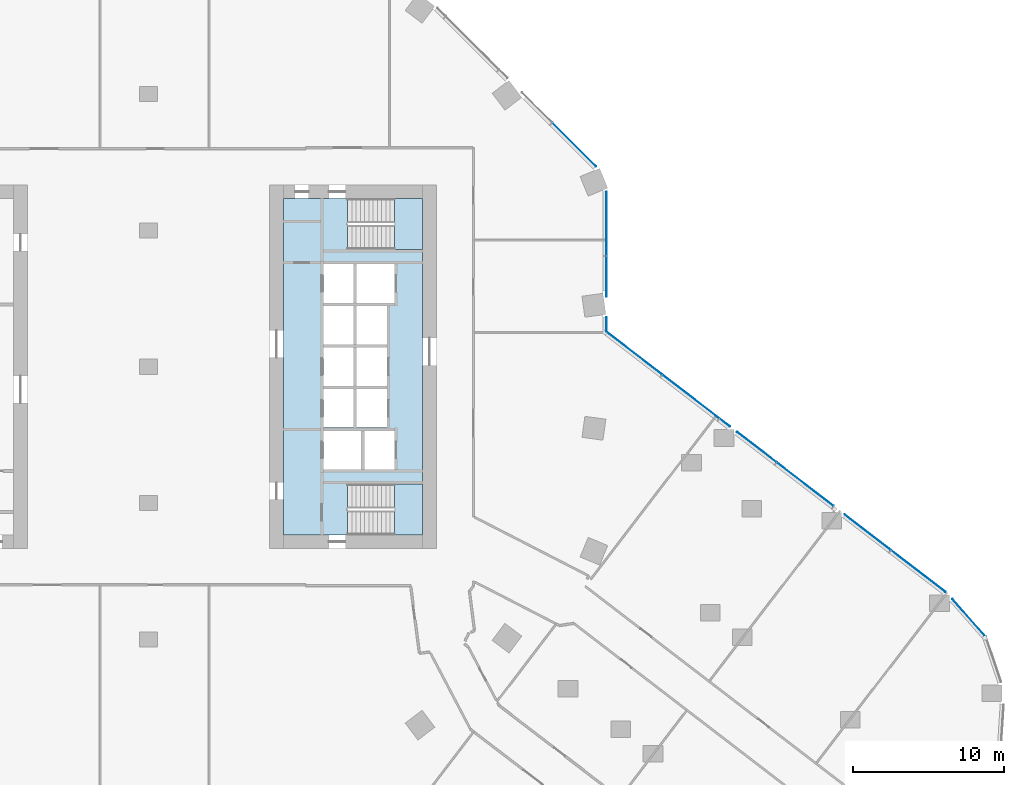
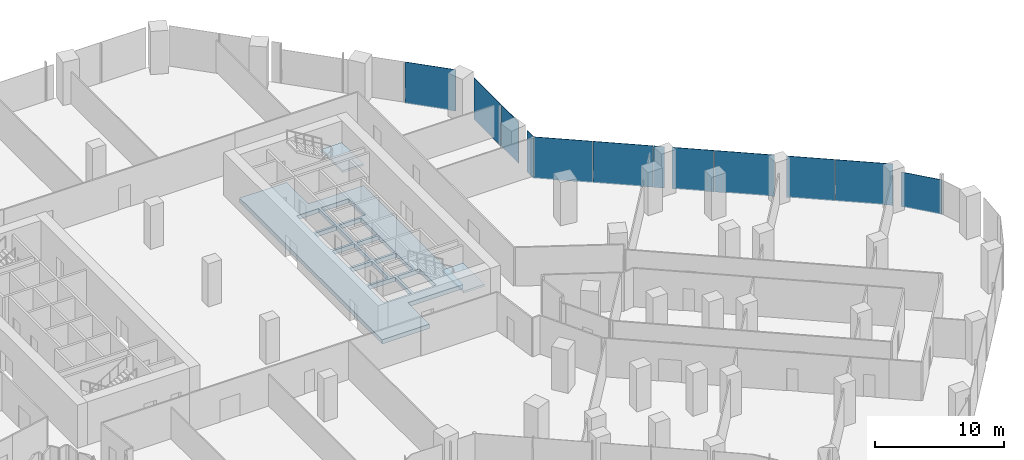
# One storey, part 19 of 29: 12 plates, 3 slabs, 6 elements without a shape of their own.
"""IFC4 building model written with IfcOpenShell, lengths in metres."""

from ifc_helpers import new_model, si_unit, direction, frame, origin, origin_2d, place, context, subcontext, project, spatial, polyline, rectangle, outline, extrude, material, layer, layer_set, type_object, element, aggregate, save


model = new_model("IFC4")

# Units and contexts
model_context = context("Model", 3, precision=1e-05, world=origin(), true_north=direction((0.0, 1.0)))
body_context = subcontext(model_context, "Body", "Model", "MODEL_VIEW")
ifc_project = project(units=[si_unit("LENGTHUNIT", "METRE"), si_unit("AREAUNIT", "SQUARE_METRE"), si_unit("VOLUMEUNIT", "CUBIC_METRE"), si_unit("PLANEANGLEUNIT", "RADIAN"), si_unit("MASSUNIT", "GRAM", prefix="KILO")], contexts=[model_context])

# Site, building, storey
site_placement = place(None, origin())
site = spatial("IfcSite", under=ifc_project, at=site_placement, CompositionType="ELEMENT")
building_placement = place(site_placement, origin())
building = spatial("IfcBuilding", under=site, at=building_placement, Name="Orlundy Tower", CompositionType="ELEMENT")
storey_placement = place(building_placement, frame((0.0, 0.0, 29.199951171875)))
storey = spatial("IfcBuildingStorey", under=building, at=storey_placement, Name="L05", CompositionType="ELEMENT", Elevation=29.199951171875)

# Curtain wall, plate
ifc_material_1 = material(Name="Aluminium bronze anodised", Category="aluminium")
curtain_wall_type = type_object("IfcCurtainWallType", Name="CW2 wall", PredefinedType="NOTDEFINED", material=ifc_material_1)
curtain_wall_1_placement = place(storey_placement, origin())
curtain_wall_1 = element("IfcCurtainWall", 1, at=curtain_wall_1_placement, inside=storey, type_object=curtain_wall_type, Name="CW2 run 016", PredefinedType="NOTDEFINED")
ifc_material_2 = material(Name="Tinted glass", Category="glass")
ifc_layer_1 = layer(ifc_material_2, 0.0380859375)
ifc_layer_set_1 = layer_set([ifc_layer_1], Name="CW2 glass panel 38")
plate_type = type_object("IfcPlateType", Name="CW2 glass panel 38", PredefinedType="CURTAIN_PANEL", material=ifc_layer_set_1)
plate_1_placement = place(storey_placement, frame((28.10400390625, 14.648681640625, -0.25), z_axis=(0.0, 0.0, 1.0), x_axis=(0.707106781187, -0.707106781187, 0.0)))
plate_1 = element("IfcPlate", 2, at=plate_1_placement, type_object=plate_type, Name="CW2 panel", PredefinedType="CURTAIN_PANEL", context=body_context, shape_type="SweptSolid", body=[
    extrude(rectangle(XDim=4.066650390625, YDim=0.0380859375, at=origin_2d()), origin(), (0.0, 0.0, 1.0), 3.929931640625),
])
aggregate(curtain_wall_1, [plate_1])

# Curtain wall, plates
curtain_wall_2_placement = place(storey_placement, origin())
curtain_wall_2 = element("IfcCurtainWall", 3, at=curtain_wall_2_placement, inside=storey, type_object=curtain_wall_type, Name="CW2 run 017", PredefinedType="NOTDEFINED")
plate_2_placement = place(storey_placement, frame((30.23095703125, 9.4404296875, -0.25), z_axis=(0.0, 0.0, 1.0), x_axis=(0.0, -1.0, 0.0)))
plate_2 = element("IfcPlate", 4, at=plate_2_placement, type_object=plate_type, Name="CW2 panel", PredefinedType="CURTAIN_PANEL", context=body_context, shape_type="SweptSolid", body=[
    extrude(rectangle(XDim=4.215087890625, YDim=0.0380859375, at=origin_2d()), origin(), (0.0, 0.0, 1.0), 3.929931640625),
])
plate_3_placement = place(storey_placement, frame((30.23095703125, 5.951904296875, -0.25), z_axis=(0.0, 0.0, 1.0), x_axis=(0.0, -1.0, 0.0)))
plate_3 = element("IfcPlate", 5, at=plate_3_placement, type_object=plate_type, Name="CW2 panel", PredefinedType="CURTAIN_PANEL", context=body_context, shape_type="SweptSolid", body=[
    extrude(rectangle(XDim=2.662353515625, YDim=0.0380859375, at=origin_2d()), origin(), (0.0, 0.0, 1.0), 3.929931640625),
])
plate_4_placement = place(storey_placement, frame((30.23095703125, 2.78466796875, -0.25), z_axis=(0.0, 0.0, 1.0), x_axis=(0.0, -1.0, 0.0)))
plate_4 = element("IfcPlate", 6, at=plate_4_placement, type_object=plate_type, Name="CW2 panel", PredefinedType="CURTAIN_PANEL", context=body_context, shape_type="SweptSolid", body=[
    extrude(rectangle(XDim=0.961181640625, YDim=0.0380859375, at=origin_2d()), origin(), (0.0, 0.0, 1.0), 3.929931640625),
])
aggregate(curtain_wall_2, [plate_2, plate_3, plate_4])

curtain_wall_3_placement = place(storey_placement, origin())
curtain_wall_3 = element("IfcCurtainWall", 7, at=curtain_wall_3_placement, inside=storey, type_object=curtain_wall_type, Name="CW2 run 018", PredefinedType="NOTDEFINED")
plate_5_placement = place(storey_placement, frame((32.062255859375, 0.898681640625, -0.25), z_axis=(0.0, 0.0, 1.0), x_axis=(0.793340030598, -0.608778774146, 0.0)))
plate_5 = element("IfcPlate", 8, at=plate_5_placement, type_object=plate_type, Name="CW2 panel", PredefinedType="CURTAIN_PANEL", context=body_context, shape_type="SweptSolid", body=[
    extrude(rectangle(XDim=4.616455078125, YDim=0.0380859375, at=origin_2d()), origin(), (0.0, 0.0, 1.0), 3.929931640625),
])
plate_6_placement = place(storey_placement, frame((35.799560546875, -1.96923828125, -0.25), z_axis=(0.0, 0.0, 1.0), x_axis=(0.793340030598, -0.608778774146, 0.0)))
plate_6 = element("IfcPlate", 9, at=plate_6_placement, type_object=plate_type, Name="CW2 panel", PredefinedType="CURTAIN_PANEL", context=body_context, shape_type="SweptSolid", body=[
    extrude(rectangle(XDim=4.705322265625, YDim=0.0380859375, at=origin_2d()), origin(), (0.0, 0.0, 1.0), 3.929931640625),
])
plate_7_placement = place(storey_placement, frame((38.0419921875, -3.68994140625, -0.25), z_axis=(0.0, 0.0, 1.0), x_axis=(0.793340030598, -0.608778774146, 0.0)))
plate_7 = element("IfcPlate", 10, at=plate_7_placement, type_object=plate_type, Name="CW2 panel", PredefinedType="CURTAIN_PANEL", context=body_context, shape_type="SweptSolid", body=[
    extrude(rectangle(XDim=0.84765625, YDim=0.0380859375, at=origin_2d()), origin(), (0.0, 0.0, 1.0), 3.929931640625),
])
plate_8_placement = place(storey_placement, frame((40.139892578125, -5.2998046875, -0.25), z_axis=(0.0, 0.0, 1.0), x_axis=(0.793340030598, -0.608778774146, 0.0)))
plate_8 = element("IfcPlate", 11, at=plate_8_placement, type_object=plate_type, Name="CW2 panel", PredefinedType="CURTAIN_PANEL", context=body_context, shape_type="SweptSolid", body=[
    extrude(rectangle(XDim=3.2744140625, YDim=0.0380859375, at=origin_2d()), origin(), (0.0, 0.0, 1.0), 3.929931640625),
])
plate_9_placement = place(storey_placement, frame((43.344970703125, -7.75927734375, -0.25), z_axis=(0.0, 0.0, 1.0), x_axis=(0.793340030598, -0.608778774146, 0.0)))
plate_9 = element("IfcPlate", 12, at=plate_9_placement, type_object=plate_type, Name="CW2 panel", PredefinedType="CURTAIN_PANEL", context=body_context, shape_type="SweptSolid", body=[
    extrude(rectangle(XDim=4.705322265625, YDim=0.0380859375, at=origin_2d()), origin(), (0.0, 0.0, 1.0), 3.929931640625),
])
plate_10_placement = place(storey_placement, frame((47.468994140625, -10.923828125, -0.25), z_axis=(0.0, 0.0, 1.0), x_axis=(0.793340030598, -0.608778774146, 0.0)))
plate_10 = element("IfcPlate", 13, at=plate_10_placement, type_object=plate_type, Name="CW2 panel", PredefinedType="CURTAIN_PANEL", context=body_context, shape_type="SweptSolid", body=[
    extrude(rectangle(XDim=3.8193359375, YDim=0.0380859375, at=origin_2d()), origin(), (0.0, 0.0, 1.0), 3.929931640625),
])
plate_11_placement = place(storey_placement, frame((50.814453125, -13.490966796875, -0.25), z_axis=(0.0, 0.0, 1.0), x_axis=(0.793340030598, -0.608778774146, 0.0)))
plate_11 = element("IfcPlate", 14, at=plate_11_placement, type_object=plate_type, Name="CW2 panel", PredefinedType="CURTAIN_PANEL", context=body_context, shape_type="SweptSolid", body=[
    extrude(rectangle(XDim=4.513916015625, YDim=0.0380859375, at=origin_2d()), origin(), (0.0, 0.0, 1.0), 3.929931640625),
])
aggregate(curtain_wall_3, [plate_5, plate_6, plate_7, plate_8, plate_9, plate_10, plate_11])

# Curtain wall, plate
curtain_wall_4_placement = place(storey_placement, origin())
curtain_wall_4 = element("IfcCurtainWall", 15, at=curtain_wall_4_placement, inside=storey, type_object=curtain_wall_type, Name="CW2 run 019", PredefinedType="NOTDEFINED")
plate_12_placement = place(storey_placement, frame((54.176025390625, -16.585693359375, -0.25), z_axis=(0.0, 0.0, 1.0), x_axis=(0.65932547196, -0.751857647447, 0.0)))
plate_12 = element("IfcPlate", 16, at=plate_12_placement, type_object=plate_type, Name="CW2 panel", PredefinedType="CURTAIN_PANEL", context=body_context, shape_type="SweptSolid", body=[
    extrude(rectangle(XDim=3.36083984375, YDim=0.0380859375, at=origin_2d()), origin(), (0.0, 0.0, 1.0), 3.2900390625),
])
aggregate(curtain_wall_4, [plate_12])

# Slab
ifc_material_3 = material(Name="Concrete C50/60", Category="concrete")
ifc_layer_2 = layer(ifc_material_3, 0.409912109375)
ifc_layer_set_2 = layer_set([ifc_layer_2], Name="Core Floor Slab 410")
slab_type_1 = type_object("IfcSlabType", Name="Core Floor Slab 410", PredefinedType="FLOOR", material=ifc_layer_set_2)
slab_1_placement = place(storey_placement, frame((0.0, 0.0, -0.409912109375)))
element("IfcSlab", 17, at=slab_1_placement, inside=storey, type_object=slab_type_1, Name="Core floor E06", PredefinedType="FLOOR", context=body_context, shape_type="SweptSolid", body=[
    extrude(outline(polyline([(8.89990234375, 11.10009765625), (13.14501953125, 11.10009765625), (13.14501953125, 7.75), (18.10009765625, 7.75), (18.10009765625, -7.75), (13.14501953125, -7.75), (13.14501953125, -11.10009765625), (8.89990234375, -11.10009765625), (8.89990234375, 11.10009765625)]), holes=[polyline([(11.5400390625, 6.77490234375), (11.5400390625, 4.22509765625), (13.5400390625, 4.22509765625), (13.5400390625, 6.77490234375), (11.5400390625, 6.77490234375)]), polyline([(16.239990234375, 6.77490234375), (13.739990234375, 6.77490234375), (13.739990234375, 4.22509765625), (16.239990234375, 4.22509765625), (16.239990234375, 6.77490234375)]), polyline([(13.5400390625, 1.47509765625), (13.5400390625, 4.02490234375), (11.5400390625, 4.02490234375), (11.5400390625, 1.47509765625), (13.5400390625, 1.47509765625)]), polyline([(13.739990234375, 1.47509765625), (15.739990234375, 1.47509765625), (15.739990234375, 4.02490234375), (13.739990234375, 4.02490234375), (13.739990234375, 1.47509765625)]), polyline([(11.5400390625, 1.27490234375), (11.5400390625, -1.27490234375), (13.5400390625, -1.27490234375), (13.5400390625, 1.27490234375), (11.5400390625, 1.27490234375)]), polyline([(15.739990234375, 1.27490234375), (13.739990234375, 1.27490234375), (13.739990234375, -1.27490234375), (15.739990234375, -1.27490234375), (15.739990234375, 1.27490234375)]), polyline([(13.5400390625, -4.02490234375), (13.5400390625, -1.47509765625), (11.5400390625, -1.47509765625), (11.5400390625, -4.02490234375), (13.5400390625, -4.02490234375)]), polyline([(13.739990234375, -4.02490234375), (15.739990234375, -4.02490234375), (15.739990234375, -1.47509765625), (13.739990234375, -1.47509765625), (13.739990234375, -4.02490234375)]), polyline([(11.5400390625, -4.22509765625), (11.5400390625, -6.77490234375), (14.0400390625, -6.77490234375), (14.0400390625, -4.22509765625), (11.5400390625, -4.22509765625)]), polyline([(16.239990234375, -4.22509765625), (14.239990234375, -4.22509765625), (14.239990234375, -6.77490234375), (16.239990234375, -6.77490234375), (16.239990234375, -4.22509765625)])]), origin(), (0.0, 0.0, 1.0), 0.409912109375),
])

# Stair, slab
ifc_material_4 = material(Name="Concrete C50/60", Category="concrete")
stair_type = type_object("IfcStairType", Name="Exit Stair 24 risers", PredefinedType="HALF_TURN_STAIR", material=ifc_material_4)
stair_1_placement = place(storey_placement, origin())
stair_1 = element("IfcStair", 18, at=stair_1_placement, inside=storey, type_object=stair_type, Name="L05 Exit Stair ST-E1", PredefinedType="HALF_TURN_STAIR")
ifc_material_5 = material(Name="Concrete C50/60", Category="concrete")
ifc_layer_3 = layer(ifc_material_5, 0.199951171875)
ifc_layer_set_3 = layer_set([ifc_layer_3], Name="Exit Stair Landing")
slab_type_2 = type_object("IfcSlabType", Name="Exit Stair Landing", PredefinedType="LANDING", material=ifc_layer_set_3)
slab_2_placement = place(storey_placement, frame((0.0, 0.0, 1.85009765625)))
slab_2 = element("IfcSlab", 19, at=slab_2_placement, type_object=slab_type_2, Name="ST-E1 landing 1", PredefinedType="LANDING", context=body_context, shape_type="SweptSolid", body=[
    extrude(outline(polyline([(16.219970703125, -11.10009765625), (18.10009765625, -11.10009765625), (18.10009765625, -7.75), (16.219970703125, -7.75), (16.219970703125, -11.10009765625)])), origin(), (0.0, 0.0, 1.0), 0.199951171875),
])
aggregate(stair_1, [slab_2])

stair_2_placement = place(storey_placement, origin())
stair_2 = element("IfcStair", 20, at=stair_2_placement, inside=storey, type_object=stair_type, Name="L05 Exit Stair ST-E2", PredefinedType="HALF_TURN_STAIR")
slab_3_placement = place(storey_placement, frame((0.0, 0.0, 1.85009765625)))
slab_3 = element("IfcSlab", 21, at=slab_3_placement, type_object=slab_type_2, Name="ST-E2 landing 1", PredefinedType="LANDING", context=body_context, shape_type="SweptSolid", body=[
    extrude(outline(polyline([(16.219970703125, 7.75), (18.10009765625, 7.75), (18.10009765625, 11.10009765625), (16.219970703125, 11.10009765625), (16.219970703125, 7.75)])), origin(), (0.0, 0.0, 1.0), 0.199951171875),
])
aggregate(stair_2, [slab_3])

save(model, "model.ifc")
